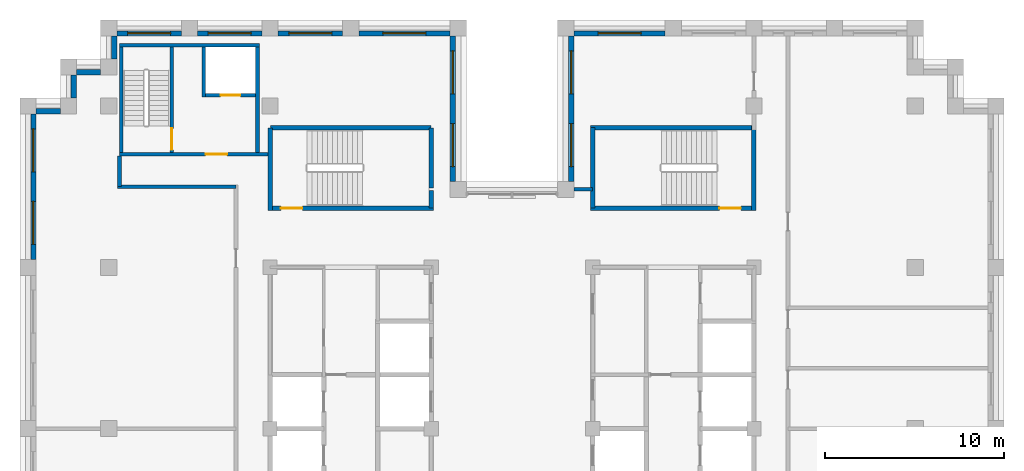
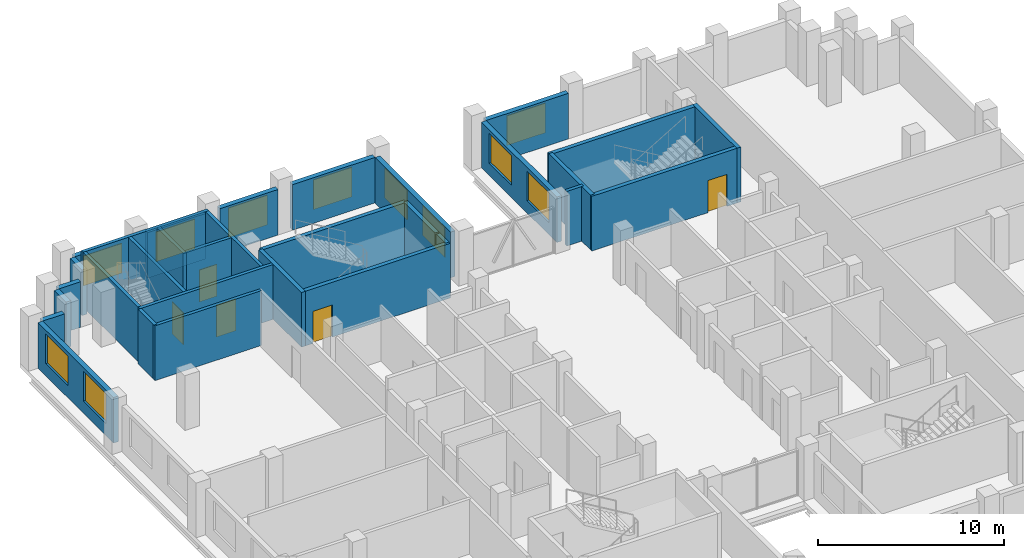
# One storey, part 10 of 13: 31 walls, 11 windows, 5 doors, 16 openings.
"""IFC4 building model written with IfcOpenShell, lengths in metres."""

from ifc_helpers import new_model, si_unit, direction, frame, frame_2d, origin, place, context, subcontext, project, spatial, rectangle, extrude, material, layer, layer_set, type_object, element, fill, save


model = new_model("IFC4")

# Units and contexts
model_context = context("Model", 3, precision=1e-05, world=origin(), true_north=direction((0.0, 1.0)))
body_context = subcontext(model_context, "Body", "Model", "MODEL_VIEW")
ifc_project = project(units=[si_unit("LENGTHUNIT", "METRE"), si_unit("AREAUNIT", "SQUARE_METRE"), si_unit("VOLUMEUNIT", "CUBIC_METRE"), si_unit("PLANEANGLEUNIT", "RADIAN"), si_unit("MASSUNIT", "GRAM", prefix="KILO")], contexts=[model_context])

# Site, building, storey
site_placement = place(None, origin())
site = spatial("IfcSite", under=ifc_project, at=site_placement, CompositionType="ELEMENT")
building_placement = place(site_placement, origin())
building = spatial("IfcBuilding", under=site, at=building_placement, Name="Corbelhall Arena Tower", CompositionType="ELEMENT")
storey_placement = place(building_placement, frame((0.0, 0.0, 290.0)))
storey = spatial("IfcBuildingStorey", under=building, at=storey_placement, Name="L63", CompositionType="ELEMENT", Elevation=290.0)

# Walls
ifc_material_1 = material(Name="Precast concrete C40/50 with granite facing", Category="masonry")
ifc_layer_1 = layer(ifc_material_1, 0.300048828125)
ifc_layer_set_1 = layer_set([ifc_layer_1], Name="EV-IW1 Infill panel 300")
wall_type_1 = type_object("IfcWallType", Name="EV-IW1 Infill panel 300", PredefinedType="SOLIDWALL", material=ifc_layer_set_1)
wall_1_placement = place(storey_placement, frame((-24.449951171875, 19.72509765625, 0.0), z_axis=(0.0, 0.0, 1.0), x_axis=(0.0, -1.0, 0.0)))
element("IfcWall", 1, at=wall_1_placement, inside=storey, type_object=wall_type_1, Name="Infill panel IW1", PredefinedType="SOLIDWALL", context=body_context, shape_type="SweptSolid", body=[
    extrude(rectangle(XDim=1.275146484375, YDim=0.300048828125, at=frame_2d((0.6376953125, 0.0))), origin(), (0.0, 0.0, 1.0), 2.989990234375),
])
wall_2_placement = place(storey_placement, frame((-25.199951171875, 17.699951171875, 0.0), z_axis=(0.0, 0.0, 1.0), x_axis=(-1.0, 0.0, 0.0)))
element("IfcWall", 2, at=wall_2_placement, inside=storey, type_object=wall_type_1, Name="Infill panel IW1", PredefinedType="SOLIDWALL", context=body_context, shape_type="SweptSolid", body=[
    extrude(rectangle(XDim=1.35009765625, YDim=0.300048828125, at=frame_2d((0.675048828125, 0.0))), origin(), (0.0, 0.0, 1.0), 2.989990234375),
])

# Wall, openings, windows
wall_3_placement = place(storey_placement, frame((-26.699951171875, 17.550048828125, 0.0), z_axis=(0.0, 0.0, 1.0), x_axis=(0.0, -1.0, 0.0)))
wall_3 = element("IfcWall", 3, at=wall_3_placement, inside=storey, type_object=wall_type_1, Name="Infill panel IW1", PredefinedType="SOLIDWALL", context=body_context, shape_type="SweptSolid", body=[
    extrude(rectangle(XDim=8.10009765625, YDim=0.300048828125, at=frame_2d((4.050048828125, 0.0))), origin(), (0.0, 0.0, 1.0), 2.989990234375),
])
opening_1_placement = place(wall_3_placement, frame((0.824951171875, 0.0, 0.800048828125)))
opening_1 = element("IfcOpeningElement", 4, at=opening_1_placement, cuts=wall_3, Name="Opening WN1", PredefinedType="OPENING", context=body_context, shape_type="SweptSolid", body=[
    extrude(rectangle(XDim=2.39990234375, YDim=1.949951171875, at=frame_2d((1.199951171875, 0.97509765625))), frame((0.0, 0.14990234375, 0.0), z_axis=(0.0, -1.0, 0.0), x_axis=(1.0, 0.0, 0.0)), (0.0, 0.0, 1.0), 0.300048828125),
])
opening_2_placement = place(wall_3_placement, frame((4.875, 0.0, 0.800048828125)))
opening_2 = element("IfcOpeningElement", 5, at=opening_2_placement, cuts=wall_3, Name="Opening WN1", PredefinedType="OPENING", context=body_context, shape_type="SweptSolid", body=[
    extrude(rectangle(XDim=2.39990234375, YDim=1.949951171875, at=frame_2d((1.199951171875, 0.97509765625))), frame((0.0, 0.14990234375, 0.0), z_axis=(0.0, -1.0, 0.0), x_axis=(1.0, 0.0, 0.0)), (0.0, 0.0, 1.0), 0.300048828125),
])
ifc_material_2 = material(Name="Aluminium black anodised", Category="aluminium")
window_type = type_object("IfcWindowType", Name="EV-WN1 Office window", PartitioningType="SINGLE_PANEL", PredefinedType="WINDOW", material=ifc_material_2)
window_1_placement = place(opening_1_placement, origin())
window_1 = element("IfcWindow", 6, at=window_1_placement, inside=storey, type_object=window_type, Name="Window WN1", OverallHeight=1.949951171875, OverallWidth=2.39990234375, PartitioningType="SINGLE_PANEL", PredefinedType="WINDOW", context=body_context, shape_type="SweptSolid", body=[
    extrude(rectangle(XDim=2.39990234375, YDim=1.949951171875, at=frame_2d((1.199951171875, 0.97509765625))), frame((0.0, 0.030029296875, 0.0), z_axis=(0.0, -1.0, 0.0), x_axis=(1.0, 0.0, 0.0)), (0.0, 0.0, 1.0), 0.06005859375),
])
fill(opening_1, window_1)
window_2_placement = place(opening_2_placement, origin())
window_2 = element("IfcWindow", 7, at=window_2_placement, inside=storey, type_object=window_type, Name="Window WN1", OverallHeight=1.949951171875, OverallWidth=2.39990234375, PartitioningType="SINGLE_PANEL", PredefinedType="WINDOW", context=body_context, shape_type="SweptSolid", body=[
    extrude(rectangle(XDim=2.39990234375, YDim=1.949951171875, at=frame_2d((1.199951171875, 0.97509765625))), frame((0.0, 0.030029296875, 0.0), z_axis=(0.0, -1.0, 0.0), x_axis=(1.0, 0.0, 0.0)), (0.0, 0.0, 1.0), 0.06005859375),
])
fill(opening_2, window_2)

# Wall, opening, window
wall_4_placement = place(storey_placement, frame((8.550048828125, 22.050048828125, 0.0), z_axis=(0.0, 0.0, 1.0), x_axis=(-1.0, 0.0, 0.0)))
wall_4 = element("IfcWall", 8, at=wall_4_placement, inside=storey, type_object=wall_type_1, Name="Infill panel IW1", PredefinedType="SOLIDWALL", context=body_context, shape_type="SweptSolid", body=[
    extrude(rectangle(XDim=5.10009765625, YDim=0.300048828125, at=frame_2d((2.550048828125, 0.0))), origin(), (0.0, 0.0, 1.0), 2.989990234375),
])
opening_3_placement = place(wall_4_placement, frame((1.35009765625, 0.0, 0.800048828125)))
opening_3 = element("IfcOpeningElement", 9, at=opening_3_placement, cuts=wall_4, Name="Opening WN1", PredefinedType="OPENING", context=body_context, shape_type="SweptSolid", body=[
    extrude(rectangle(XDim=2.39990234375, YDim=1.949951171875, at=frame_2d((1.199951171875, 0.97509765625))), frame((0.0, 0.14990234375, 0.0), z_axis=(0.0, -1.0, 0.0), x_axis=(1.0, 0.0, 0.0)), (0.0, 0.0, 1.0), 0.300048828125),
])
window_3_placement = place(opening_3_placement, origin())
window_3 = element("IfcWindow", 10, at=window_3_placement, inside=storey, type_object=window_type, Name="Window WN1", OverallHeight=1.949951171875, OverallWidth=2.39990234375, PartitioningType="SINGLE_PANEL", PredefinedType="WINDOW", context=body_context, shape_type="SweptSolid", body=[
    extrude(rectangle(XDim=2.39990234375, YDim=1.949951171875, at=frame_2d((1.199951171875, 0.97509765625))), frame((0.0, 0.030029296875, 0.0), z_axis=(0.0, -1.0, 0.0), x_axis=(1.0, 0.0, 0.0)), (0.0, 0.0, 1.0), 0.06005859375),
])
fill(opening_3, window_3)

# Wall, openings, windows
wall_5_placement = place(storey_placement, frame((3.300048828125, 21.89990234375, 0.0), z_axis=(0.0, 0.0, 1.0), x_axis=(0.0, -1.0, 0.0)))
wall_5 = element("IfcWall", 11, at=wall_5_placement, inside=storey, type_object=wall_type_1, Name="Infill panel IW1", PredefinedType="SOLIDWALL", context=body_context, shape_type="SweptSolid", body=[
    extrude(rectangle(XDim=8.099853515625, YDim=0.300048828125, at=frame_2d((4.0498046875, 0.0))), origin(), (0.0, 0.0, 1.0), 2.989990234375),
])
opening_4_placement = place(wall_5_placement, frame((0.824951171875, 0.0, 0.800048828125)))
opening_4 = element("IfcOpeningElement", 12, at=opening_4_placement, cuts=wall_5, Name="Opening WN1", PredefinedType="OPENING", context=body_context, shape_type="SweptSolid", body=[
    extrude(rectangle(XDim=2.39990234375, YDim=1.949951171875, at=frame_2d((1.199951171875, 0.97509765625))), frame((0.0, 0.14990234375, 0.0), z_axis=(0.0, -1.0, 0.0), x_axis=(1.0, 0.0, 0.0)), (0.0, 0.0, 1.0), 0.300048828125),
])
opening_5_placement = place(wall_5_placement, frame((4.875, 0.0, 0.800048828125)))
opening_5 = element("IfcOpeningElement", 13, at=opening_5_placement, cuts=wall_5, Name="Opening WN1", PredefinedType="OPENING", context=body_context, shape_type="SweptSolid", body=[
    extrude(rectangle(XDim=2.39990234375, YDim=1.949951171875, at=frame_2d((1.199951171875, 0.97509765625))), frame((0.0, 0.14990234375, 0.0), z_axis=(0.0, -1.0, 0.0), x_axis=(1.0, 0.0, 0.0)), (0.0, 0.0, 1.0), 0.300048828125),
])
window_4_placement = place(opening_4_placement, origin())
window_4 = element("IfcWindow", 14, at=window_4_placement, inside=storey, type_object=window_type, Name="Window WN1", OverallHeight=1.949951171875, OverallWidth=2.39990234375, PartitioningType="SINGLE_PANEL", PredefinedType="WINDOW", context=body_context, shape_type="SweptSolid", body=[
    extrude(rectangle(XDim=2.39990234375, YDim=1.949951171875, at=frame_2d((1.199951171875, 0.97509765625))), frame((0.0, 0.030029296875, 0.0), z_axis=(0.0, -1.0, 0.0), x_axis=(1.0, 0.0, 0.0)), (0.0, 0.0, 1.0), 0.06005859375),
])
fill(opening_4, window_4)
window_5_placement = place(opening_5_placement, origin())
window_5 = element("IfcWindow", 15, at=window_5_placement, inside=storey, type_object=window_type, Name="Window WN1", OverallHeight=1.949951171875, OverallWidth=2.39990234375, PartitioningType="SINGLE_PANEL", PredefinedType="WINDOW", context=body_context, shape_type="SweptSolid", body=[
    extrude(rectangle(XDim=2.39990234375, YDim=1.949951171875, at=frame_2d((1.199951171875, 0.97509765625))), frame((0.0, 0.030029296875, 0.0), z_axis=(0.0, -1.0, 0.0), x_axis=(1.0, 0.0, 0.0)), (0.0, 0.0, 1.0), 0.06005859375),
])
fill(opening_5, window_5)

wall_6_placement = place(storey_placement, frame((-3.300048828125, 13.800048828125, 0.0), z_axis=(0.0, 0.0, 1.0), x_axis=(0.0, 1.0, 0.0)))
wall_6 = element("IfcWall", 16, at=wall_6_placement, inside=storey, type_object=wall_type_1, Name="Infill panel IW1", PredefinedType="SOLIDWALL", context=body_context, shape_type="SweptSolid", body=[
    extrude(rectangle(XDim=8.099853515625, YDim=0.300048828125, at=frame_2d((4.0498046875, 0.0))), origin(), (0.0, 0.0, 1.0), 2.989990234375),
])
opening_6_placement = place(wall_6_placement, frame((0.824951171875, 0.0, 0.800048828125)))
opening_6 = element("IfcOpeningElement", 17, at=opening_6_placement, cuts=wall_6, Name="Opening WN1", PredefinedType="OPENING", context=body_context, shape_type="SweptSolid", body=[
    extrude(rectangle(XDim=2.39990234375, YDim=1.949951171875, at=frame_2d((1.199951171875, 0.97509765625))), frame((0.0, 0.14990234375, 0.0), z_axis=(0.0, -1.0, 0.0), x_axis=(1.0, 0.0, 0.0)), (0.0, 0.0, 1.0), 0.300048828125),
])
opening_7_placement = place(wall_6_placement, frame((4.875, 0.0, 0.800048828125)))
opening_7 = element("IfcOpeningElement", 18, at=opening_7_placement, cuts=wall_6, Name="Opening WN1", PredefinedType="OPENING", context=body_context, shape_type="SweptSolid", body=[
    extrude(rectangle(XDim=2.39990234375, YDim=1.949951171875, at=frame_2d((1.199951171875, 0.97509765625))), frame((0.0, 0.14990234375, 0.0), z_axis=(0.0, -1.0, 0.0), x_axis=(1.0, 0.0, 0.0)), (0.0, 0.0, 1.0), 0.300048828125),
])
window_6_placement = place(opening_6_placement, origin())
window_6 = element("IfcWindow", 19, at=window_6_placement, inside=storey, type_object=window_type, Name="Window WN1", OverallHeight=1.949951171875, OverallWidth=2.39990234375, PartitioningType="SINGLE_PANEL", PredefinedType="WINDOW", context=body_context, shape_type="SweptSolid", body=[
    extrude(rectangle(XDim=2.39990234375, YDim=1.949951171875, at=frame_2d((1.199951171875, 0.97509765625))), frame((0.0, 0.030029296875, 0.0), z_axis=(0.0, -1.0, 0.0), x_axis=(1.0, 0.0, 0.0)), (0.0, 0.0, 1.0), 0.06005859375),
])
fill(opening_6, window_6)
window_7_placement = place(opening_7_placement, origin())
window_7 = element("IfcWindow", 20, at=window_7_placement, inside=storey, type_object=window_type, Name="Window WN1", OverallHeight=1.949951171875, OverallWidth=2.39990234375, PartitioningType="SINGLE_PANEL", PredefinedType="WINDOW", context=body_context, shape_type="SweptSolid", body=[
    extrude(rectangle(XDim=2.39990234375, YDim=1.949951171875, at=frame_2d((1.199951171875, 0.97509765625))), frame((0.0, 0.030029296875, 0.0), z_axis=(0.0, -1.0, 0.0), x_axis=(1.0, 0.0, 0.0)), (0.0, 0.0, 1.0), 0.06005859375),
])
fill(opening_7, window_7)

# Wall, opening, window
wall_7_placement = place(storey_placement, frame((-3.449951171875, 22.050048828125, 0.0), z_axis=(0.0, 0.0, 1.0), x_axis=(-1.0, 0.0, 0.0)))
wall_7 = element("IfcWall", 21, at=wall_7_placement, inside=storey, type_object=wall_type_1, Name="Infill panel IW1", PredefinedType="SOLIDWALL", context=body_context, shape_type="SweptSolid", body=[
    extrude(rectangle(XDim=5.10009765625, YDim=0.300048828125, at=frame_2d((2.550048828125, 0.0))), origin(), (0.0, 0.0, 1.0), 2.989990234375),
])
opening_8_placement = place(wall_7_placement, frame((1.35009765625, 0.0, 0.800048828125)))
opening_8 = element("IfcOpeningElement", 22, at=opening_8_placement, cuts=wall_7, Name="Opening WN1", PredefinedType="OPENING", context=body_context, shape_type="SweptSolid", body=[
    extrude(rectangle(XDim=2.39990234375, YDim=1.949951171875, at=frame_2d((1.199951171875, 0.97509765625))), frame((0.0, 0.14990234375, 0.0), z_axis=(0.0, -1.0, 0.0), x_axis=(1.0, 0.0, 0.0)), (0.0, 0.0, 1.0), 0.300048828125),
])
window_8_placement = place(opening_8_placement, origin())
window_8 = element("IfcWindow", 23, at=window_8_placement, inside=storey, type_object=window_type, Name="Window WN1", OverallHeight=1.949951171875, OverallWidth=2.39990234375, PartitioningType="SINGLE_PANEL", PredefinedType="WINDOW", context=body_context, shape_type="SweptSolid", body=[
    extrude(rectangle(XDim=2.39990234375, YDim=1.949951171875, at=frame_2d((1.199951171875, 0.97509765625))), frame((0.0, 0.030029296875, 0.0), z_axis=(0.0, -1.0, 0.0), x_axis=(1.0, 0.0, 0.0)), (0.0, 0.0, 1.0), 0.06005859375),
])
fill(opening_8, window_8)

wall_8_placement = place(storey_placement, frame((-9.449951171875, 22.050048828125, 0.0), z_axis=(0.0, 0.0, 1.0), x_axis=(-1.0, 0.0, 0.0)))
wall_8 = element("IfcWall", 24, at=wall_8_placement, inside=storey, type_object=wall_type_1, Name="Infill panel IW1", PredefinedType="SOLIDWALL", context=body_context, shape_type="SweptSolid", body=[
    extrude(rectangle(XDim=3.60009765625, YDim=0.300048828125, at=frame_2d((1.800048828125, 0.0))), origin(), (0.0, 0.0, 1.0), 2.989990234375),
])
opening_9_placement = place(wall_8_placement, frame((0.60009765625, 0.0, 0.800048828125)))
opening_9 = element("IfcOpeningElement", 25, at=opening_9_placement, cuts=wall_8, Name="Opening WN1", PredefinedType="OPENING", context=body_context, shape_type="SweptSolid", body=[
    extrude(rectangle(XDim=2.39990234375, YDim=1.949951171875, at=frame_2d((1.199951171875, 0.97509765625))), frame((0.0, 0.14990234375, 0.0), z_axis=(0.0, -1.0, 0.0), x_axis=(1.0, 0.0, 0.0)), (0.0, 0.0, 1.0), 0.300048828125),
])
window_9_placement = place(opening_9_placement, origin())
window_9 = element("IfcWindow", 26, at=window_9_placement, inside=storey, type_object=window_type, Name="Window WN1", OverallHeight=1.949951171875, OverallWidth=2.39990234375, PartitioningType="SINGLE_PANEL", PredefinedType="WINDOW", context=body_context, shape_type="SweptSolid", body=[
    extrude(rectangle(XDim=2.39990234375, YDim=1.949951171875, at=frame_2d((1.199951171875, 0.97509765625))), frame((0.0, 0.030029296875, 0.0), z_axis=(0.0, -1.0, 0.0), x_axis=(1.0, 0.0, 0.0)), (0.0, 0.0, 1.0), 0.06005859375),
])
fill(opening_9, window_9)

wall_9_placement = place(storey_placement, frame((-13.949951171875, 22.050048828125, 0.0), z_axis=(0.0, 0.0, 1.0), x_axis=(-1.0, 0.0, 0.0)))
wall_9 = element("IfcWall", 27, at=wall_9_placement, inside=storey, type_object=wall_type_1, Name="Infill panel IW1", PredefinedType="SOLIDWALL", context=body_context, shape_type="SweptSolid", body=[
    extrude(rectangle(XDim=3.60009765625, YDim=0.300048828125, at=frame_2d((1.800048828125, 0.0))), origin(), (0.0, 0.0, 1.0), 2.989990234375),
])
opening_10_placement = place(wall_9_placement, frame((0.60009765625, 0.0, 0.800048828125)))
opening_10 = element("IfcOpeningElement", 28, at=opening_10_placement, cuts=wall_9, Name="Opening WN1", PredefinedType="OPENING", context=body_context, shape_type="SweptSolid", body=[
    extrude(rectangle(XDim=2.39990234375, YDim=1.949951171875, at=frame_2d((1.199951171875, 0.97509765625))), frame((0.0, 0.14990234375, 0.0), z_axis=(0.0, -1.0, 0.0), x_axis=(1.0, 0.0, 0.0)), (0.0, 0.0, 1.0), 0.300048828125),
])
window_10_placement = place(opening_10_placement, origin())
window_10 = element("IfcWindow", 29, at=window_10_placement, inside=storey, type_object=window_type, Name="Window WN1", OverallHeight=1.949951171875, OverallWidth=2.39990234375, PartitioningType="SINGLE_PANEL", PredefinedType="WINDOW", context=body_context, shape_type="SweptSolid", body=[
    extrude(rectangle(XDim=2.39990234375, YDim=1.949951171875, at=frame_2d((1.199951171875, 0.97509765625))), frame((0.0, 0.030029296875, 0.0), z_axis=(0.0, -1.0, 0.0), x_axis=(1.0, 0.0, 0.0)), (0.0, 0.0, 1.0), 0.06005859375),
])
fill(opening_10, window_10)

wall_10_placement = place(storey_placement, frame((-18.449951171875, 22.050048828125, 0.0), z_axis=(0.0, 0.0, 1.0), x_axis=(-1.0, 0.0, 0.0)))
wall_10 = element("IfcWall", 30, at=wall_10_placement, inside=storey, type_object=wall_type_1, Name="Infill panel IW1", PredefinedType="SOLIDWALL", context=body_context, shape_type="SweptSolid", body=[
    extrude(rectangle(XDim=3.60009765625, YDim=0.300048828125, at=frame_2d((1.800048828125, 0.0))), origin(), (0.0, 0.0, 1.0), 2.989990234375),
])
opening_11_placement = place(wall_10_placement, frame((0.60009765625, 0.0, 0.800048828125)))
opening_11 = element("IfcOpeningElement", 31, at=opening_11_placement, cuts=wall_10, Name="Opening WN1", PredefinedType="OPENING", context=body_context, shape_type="SweptSolid", body=[
    extrude(rectangle(XDim=2.39990234375, YDim=1.949951171875, at=frame_2d((1.199951171875, 0.97509765625))), frame((0.0, 0.14990234375, 0.0), z_axis=(0.0, -1.0, 0.0), x_axis=(1.0, 0.0, 0.0)), (0.0, 0.0, 1.0), 0.300048828125),
])
window_11_placement = place(opening_11_placement, origin())
window_11 = element("IfcWindow", 32, at=window_11_placement, inside=storey, type_object=window_type, Name="Window WN1", OverallHeight=1.949951171875, OverallWidth=2.39990234375, PartitioningType="SINGLE_PANEL", PredefinedType="WINDOW", context=body_context, shape_type="SweptSolid", body=[
    extrude(rectangle(XDim=2.39990234375, YDim=1.949951171875, at=frame_2d((1.199951171875, 0.97509765625))), frame((0.0, 0.030029296875, 0.0), z_axis=(0.0, -1.0, 0.0), x_axis=(1.0, 0.0, 0.0)), (0.0, 0.0, 1.0), 0.06005859375),
])
fill(opening_11, window_11)

# Walls
wall_11_placement = place(storey_placement, frame((-22.199951171875, 21.89990234375, 0.0), z_axis=(0.0, 0.0, 1.0), x_axis=(0.0, -1.0, 0.0)))
element("IfcWall", 33, at=wall_11_placement, inside=storey, type_object=wall_type_1, Name="Infill panel IW1", PredefinedType="SOLIDWALL", context=body_context, shape_type="SweptSolid", body=[
    extrude(rectangle(XDim=1.27490234375, YDim=0.300048828125, at=frame_2d((0.637451171875, 0.0))), origin(), (0.0, 0.0, 1.0), 2.989990234375),
])
wall_12_placement = place(storey_placement, frame((-22.949951171875, 19.875, 0.0), z_axis=(0.0, 0.0, 1.0), x_axis=(-1.0, 0.0, 0.0)))
element("IfcWall", 34, at=wall_12_placement, inside=storey, type_object=wall_type_1, Name="Infill panel IW1", PredefinedType="SOLIDWALL", context=body_context, shape_type="SweptSolid", body=[
    extrude(rectangle(XDim=1.35009765625, YDim=0.300048828125, at=frame_2d((0.675048828125, 0.0))), origin(), (0.0, 0.0, 1.0), 2.989990234375),
])
ifc_material_3 = material(Name="Gypsum board on steel stud, acoustic", Category="steel")
ifc_layer_2 = layer(ifc_material_3, 0.199951171875)
ifc_layer_set_2 = layer_set([ifc_layer_2], Name="IN-W-DM200")
wall_type_2 = type_object("IfcWallType", Name="IN-W-DM200", PredefinedType="PARTITIONING", material=ifc_layer_set_2)
wall_13_placement = place(storey_placement, frame((-21.89990234375, 13.5, 0.0), z_axis=(0.0, 0.0, 1.0), x_axis=(0.0, 1.0, 0.0)))
element("IfcWall", 35, at=wall_13_placement, inside=storey, type_object=wall_type_2, Name="Partition 004", PredefinedType="PARTITIONING", context=body_context, shape_type="SweptSolid", body=[
    extrude(rectangle(XDim=1.699951171875, YDim=0.199951171875, at=frame_2d((0.85009765625, 0.0))), origin(), (0.0, 0.0, 1.0), 3.590087890625),
])
wall_14_placement = place(storey_placement, frame((-15.39990234375, 13.5, 0.0), z_axis=(0.0, 0.0, 1.0), x_axis=(-1.0, 0.0, 0.0)))
element("IfcWall", 36, at=wall_14_placement, inside=storey, type_object=wall_type_2, Name="Partition 007", PredefinedType="PARTITIONING", context=body_context, shape_type="SweptSolid", body=[
    extrude(rectangle(XDim=6.60009765625, YDim=0.199951171875, at=frame_2d((3.300048828125, 0.0))), origin(), (0.0, 0.0, 1.0), 3.590087890625),
])
wall_15_placement = place(storey_placement, frame((3.450439453125, 13.35009765625, 0.0), z_axis=(0.0, 0.0, 1.0), x_axis=(1.0, 0.0, 0.0)))
element("IfcWall", 37, at=wall_15_placement, inside=storey, type_object=wall_type_2, Name="Partition 010", PredefinedType="PARTITIONING", context=body_context, shape_type="SweptSolid", body=[
    extrude(rectangle(XDim=1.049072265625, YDim=0.199951171875, at=frame_2d((0.5244140625, 0.0))), origin(), (0.0, 0.0, 1.0), 3.590087890625),
])

# Wall, opening, door
ifc_material_4 = material(Name="Concrete C40/50", Category="concrete")
ifc_layer_3 = layer(ifc_material_4, 0.199951171875)
ifc_layer_set_3 = layer_set([ifc_layer_3], Name="IN-W-EAR200")
wall_type_3 = type_object("IfcWallType", Name="IN-W-EAR200", PredefinedType="SOLIDWALL", material=ifc_layer_set_3)
wall_16_placement = place(storey_placement, frame((-21.89990234375, 15.300048828125, 0.0), z_axis=(0.0, 0.0, 1.0), x_axis=(1.0, 0.0, 0.0)))
wall_16 = element("IfcWall", 38, at=wall_16_placement, inside=storey, type_object=wall_type_3, Name="Fire service turret wall south", PredefinedType="SOLIDWALL", context=body_context, shape_type="SweptSolid", body=[
    extrude(rectangle(XDim=8.27490234375, YDim=0.199951171875, at=frame_2d((4.137451171875, 0.0))), origin(), (0.0, 0.0, 1.0), 3.590087890625),
])
opening_12_placement = place(wall_16_placement, frame((4.800048828125, 0.0, 0.0)))
opening_12 = element("IfcOpeningElement", 39, at=opening_12_placement, cuts=wall_16, Name="Opening E202", PredefinedType="OPENING", context=body_context, shape_type="SweptSolid", body=[
    extrude(rectangle(XDim=1.199951171875, YDim=2.10009765625, at=frame_2d((0.60009765625, 1.050048828125))), frame((0.0, 0.10009765625, 0.0), z_axis=(0.0, -1.0, 0.0), x_axis=(1.0, 0.0, 0.0)), (0.0, 0.0, 1.0), 0.199951171875),
])
ifc_material_5 = material(Name="Steel door set", Category="steel")
door_type_1 = type_object("IfcDoorType", Name="IN-D-ST120", OperationType="NOTDEFINED", PredefinedType="DOOR", material=ifc_material_5)
door_1_placement = place(opening_12_placement, origin())
door_1 = element("IfcDoor", 40, at=door_1_placement, inside=storey, type_object=door_type_1, Name="Door from fire service lift lobby to circulation", OperationType="SINGLE_SWING_RIGHT", OverallHeight=2.10009765625, OverallWidth=1.199951171875, PredefinedType="DOOR", context=body_context, shape_type="SweptSolid", body=[
    extrude(rectangle(XDim=1.199951171875, YDim=2.10009765625, at=frame_2d((0.60009765625, 1.050048828125))), frame((0.0, 0.02490234375, 0.0), z_axis=(0.0, -1.0, 0.0), x_axis=(1.0, 0.0, 0.0)), (0.0, 0.0, 1.0), 0.050048828125),
])
fill(opening_12, door_1)

# Walls
wall_17_placement = place(storey_placement, frame((-21.89990234375, 21.39990234375, 0.0), z_axis=(0.0, 0.0, 1.0), x_axis=(1.0, 0.0, 0.0)))
element("IfcWall", 41, at=wall_17_placement, inside=storey, type_object=wall_type_3, Name="Fire service turret wall north", PredefinedType="SOLIDWALL", context=body_context, shape_type="SweptSolid", body=[
    extrude(rectangle(XDim=7.7998046875, YDim=0.199951171875, at=frame_2d((3.89990234375, 0.0))), origin(), (0.0, 0.0, 1.0), 3.590087890625),
])
for number, where, z_axis, x_axis, name in (
    (42, (-21.800048828125, 15.39990234375, 0.0), (0.0, 0.0, 1.0), (0.0, 1.0, 0.0), "Fire service turret wall west"),
    (43, (-14.199951171875, 15.39990234375, 0.0), (0.0, 0.0, 1.0), (0.0, 1.0, 0.0), "Fire service turret wall east"),
):
    element("IfcWall", number, at=place(storey_placement, frame(where, z_axis=z_axis, x_axis=x_axis)), inside=storey, type_object=wall_type_3, Name=name, PredefinedType="SOLIDWALL", context=body_context, shape_type="SweptSolid", body=[
        extrude(rectangle(XDim=5.900146484375, YDim=0.199951171875, at=frame_2d((2.9501953125, 0.0))), origin(), (0.0, 0.0, 1.0), 3.590087890625),
    ])

# Wall, opening, door
wall_18_placement = place(storey_placement, frame((-18.989990234375, 15.39990234375, 0.0), z_axis=(0.0, 0.0, 1.0), x_axis=(0.0, 1.0, 0.0)))
wall_18 = element("IfcWall", 44, at=wall_18_placement, inside=storey, type_object=wall_type_3, Name="Fire service turret wall stair", PredefinedType="SOLIDWALL", context=body_context, shape_type="SweptSolid", body=[
    extrude(rectangle(XDim=5.900146484375, YDim=0.199951171875, at=frame_2d((2.9501953125, 0.0))), origin(), (0.0, 0.0, 1.0), 3.590087890625),
])
opening_13_placement = place(wall_18_placement, frame((0.14990234375, 0.0, 0.0)))
opening_13 = element("IfcOpeningElement", 45, at=opening_13_placement, cuts=wall_18, Name="Opening E201", PredefinedType="OPENING", context=body_context, shape_type="SweptSolid", body=[
    extrude(rectangle(XDim=1.199951171875, YDim=2.10009765625, at=frame_2d((0.60009765625, 1.050048828125))), frame((0.0, 0.10009765625, 0.0), z_axis=(0.0, -1.0, 0.0), x_axis=(1.0, 0.0, 0.0)), (0.0, 0.0, 1.0), 0.199951171875),
])
door_2_placement = place(opening_13_placement, origin())
door_2 = element("IfcDoor", 46, at=door_2_placement, inside=storey, type_object=door_type_1, Name="Stair door to fire service lobby", OperationType="SINGLE_SWING_LEFT", OverallHeight=2.10009765625, OverallWidth=1.199951171875, PredefinedType="DOOR", context=body_context, shape_type="SweptSolid", body=[
    extrude(rectangle(XDim=1.199951171875, YDim=2.10009765625, at=frame_2d((0.60009765625, 1.050048828125))), frame((0.0, 0.02490234375, 0.0), z_axis=(0.0, -1.0, 0.0), x_axis=(1.0, 0.0, 0.0)), (0.0, 0.0, 1.0), 0.050048828125),
])
fill(opening_13, door_2)

# Wall
wall_19_placement = place(storey_placement, frame((-17.199951171875, 18.5, 0.0), z_axis=(0.0, 0.0, 1.0), x_axis=(0.0, 1.0, 0.0)))
element("IfcWall", 47, at=wall_19_placement, inside=storey, type_object=wall_type_3, Name="Fire service turret wall hoistway west", PredefinedType="SOLIDWALL", context=body_context, shape_type="SweptSolid", body=[
    extrude(rectangle(XDim=2.800048828125, YDim=0.199951171875, at=frame_2d((1.39990234375, 0.0))), origin(), (0.0, 0.0, 1.0), 3.590087890625),
])

# Wall, opening, door
wall_20_placement = place(storey_placement, frame((-17.10009765625, 18.60009765625, 0.0), z_axis=(0.0, 0.0, 1.0), x_axis=(1.0, 0.0, 0.0)))
wall_20 = element("IfcWall", 48, at=wall_20_placement, inside=storey, type_object=wall_type_3, Name="Fire service turret wall hoistway south", PredefinedType="SOLIDWALL", context=body_context, shape_type="SweptSolid", body=[
    extrude(rectangle(XDim=2.800048828125, YDim=0.199951171875, at=frame_2d((1.39990234375, 0.0))), origin(), (0.0, 0.0, 1.0), 3.590087890625),
])
opening_14_placement = place(wall_20_placement, frame((0.85009765625, 0.0, 0.0)))
opening_14 = element("IfcOpeningElement", 49, at=opening_14_placement, cuts=wall_20, Name="Opening LD", PredefinedType="OPENING", context=body_context, shape_type="SweptSolid", body=[
    extrude(rectangle(XDim=1.10009765625, YDim=2.10009765625, at=frame_2d((0.550048828125, 1.050048828125))), frame((0.0, 0.10009765625, 0.0), z_axis=(0.0, -1.0, 0.0), x_axis=(1.0, 0.0, 0.0)), (0.0, 0.0, 1.0), 0.199951171875),
])
door_type_2 = type_object("IfcDoorType", Name="IN-D-LD110", OperationType="NOTDEFINED", PredefinedType="DOOR", material=ifc_material_5)
door_3_placement = place(opening_14_placement, origin())
door_3 = element("IfcDoor", 50, at=door_3_placement, inside=storey, type_object=door_type_2, Name="Landing door FS1", OperationType="SLIDING_TO_LEFT", OverallHeight=2.10009765625, OverallWidth=1.10009765625, PredefinedType="DOOR", context=body_context, shape_type="SweptSolid", body=[
    extrude(rectangle(XDim=1.10009765625, YDim=2.10009765625, at=frame_2d((0.550048828125, 1.050048828125))), frame((0.0, 0.02490234375, 0.0), z_axis=(0.0, -1.0, 0.0), x_axis=(1.0, 0.0, 0.0)), (0.0, 0.0, 1.0), 0.050048828125),
])
fill(opening_14, door_3)

ifc_layer_4 = layer(ifc_material_4, 0.25)
ifc_layer_set_4 = layer_set([ifc_layer_4], Name="IN-W-ST250")
wall_type_4 = type_object("IfcWallType", Name="IN-W-ST250", PredefinedType="SOLIDWALL", material=ifc_layer_set_4)
wall_21_placement = place(storey_placement, frame((-13.5, 12.300048828125, 0.0), z_axis=(0.0, 0.0, 1.0), x_axis=(1.0, 0.0, 0.0)))
wall_21 = element("IfcWall", 51, at=wall_21_placement, inside=storey, type_object=wall_type_4, Name="Shaft wall 060", PredefinedType="SOLIDWALL", context=body_context, shape_type="SweptSolid", body=[
    extrude(rectangle(XDim=9.125, YDim=0.25, at=frame_2d((4.5625, 0.0))), origin(), (0.0, 0.0, 1.0), 3.590087890625),
])
opening_15_placement = place(wall_21_placement, frame((0.60009765625, 0.0, 0.0)))
opening_15 = element("IfcOpeningElement", 52, at=opening_15_placement, cuts=wall_21, Name="Opening 20016", PredefinedType="OPENING", context=body_context, shape_type="SweptSolid", body=[
    extrude(rectangle(XDim=1.199951171875, YDim=2.10009765625, at=frame_2d((0.60009765625, 1.050048828125))), frame((0.0, 0.125, 0.0), z_axis=(0.0, -1.0, 0.0), x_axis=(1.0, 0.0, 0.0)), (0.0, 0.0, 1.0), 0.25),
])
door_4_placement = place(opening_15_placement, origin())
door_4 = element("IfcDoor", 53, at=door_4_placement, inside=storey, type_object=door_type_1, Name="Door 016", OperationType="SINGLE_SWING_LEFT", OverallHeight=2.10009765625, OverallWidth=1.199951171875, PredefinedType="DOOR", context=body_context, shape_type="SweptSolid", body=[
    extrude(rectangle(XDim=1.199951171875, YDim=2.10009765625, at=frame_2d((0.60009765625, 1.050048828125))), frame((0.0, 0.02490234375, 0.0), z_axis=(0.0, -1.0, 0.0), x_axis=(1.0, 0.0, 0.0)), (0.0, 0.0, 1.0), 0.050048828125),
])
fill(opening_15, door_4)

# Walls
wall_22_placement = place(storey_placement, frame((-13.5, 16.780029296875, 0.0), z_axis=(0.0, 0.0, 1.0), x_axis=(0.0, -1.0, 0.0)))
element("IfcWall", 54, at=wall_22_placement, inside=storey, type_object=wall_type_4, Name="Shaft wall 061", PredefinedType="SOLIDWALL", context=body_context, shape_type="SweptSolid", body=[
    extrude(rectangle(XDim=4.60498046875, YDim=0.25, at=frame_2d((2.302490234375, 0.0))), origin(), (0.0, 0.0, 1.0), 3.590087890625),
])
wall_23_placement = place(storey_placement, frame((-13.47998046875, 16.800048828125, 0.0), z_axis=(0.0, 0.0, 1.0), x_axis=(1.0, 0.0, 0.0)))
element("IfcWall", 55, at=wall_23_placement, inside=storey, type_object=wall_type_4, Name="Shaft wall 062", PredefinedType="SOLIDWALL", context=body_context, shape_type="SweptSolid", body=[
    extrude(rectangle(XDim=8.9599609375, YDim=0.25, at=frame_2d((4.47998046875, 0.0))), origin(), (0.0, 0.0, 1.0), 3.590087890625),
])
wall_24_placement = place(storey_placement, frame((-4.5, 13.282958984375, 0.0), z_axis=(0.0, 0.0, 1.0), x_axis=(0.0, -1.0, 0.0)))
element("IfcWall", 56, at=wall_24_placement, inside=storey, type_object=wall_type_4, Name="Shaft wall 065", PredefinedType="SOLIDWALL", context=body_context, shape_type="SweptSolid", body=[
    extrude(rectangle(XDim=0.98291015625, YDim=0.25, at=frame_2d((0.491455078125, 0.0))), origin(), (0.0, 0.0, 1.0), 3.590087890625),
])
wall_25_placement = place(storey_placement, frame((-4.5, 16.780029296875, 0.0), z_axis=(0.0, 0.0, 1.0), x_axis=(0.0, -1.0, 0.0)))
element("IfcWall", 57, at=wall_25_placement, inside=storey, type_object=wall_type_4, Name="Shaft wall 066", PredefinedType="SOLIDWALL", context=body_context, shape_type="SweptSolid", body=[
    extrude(rectangle(XDim=3.363037109375, YDim=0.25, at=frame_2d((1.681640625, 0.0))), origin(), (0.0, 0.0, 1.0), 3.590087890625),
])

# Wall, opening, door
wall_26_placement = place(storey_placement, frame((4.375, 12.300048828125, 0.0), z_axis=(0.0, 0.0, 1.0), x_axis=(1.0, 0.0, 0.0)))
wall_26 = element("IfcWall", 58, at=wall_26_placement, inside=storey, type_object=wall_type_4, Name="Shaft wall 068", PredefinedType="SOLIDWALL", context=body_context, shape_type="SweptSolid", body=[
    extrude(rectangle(XDim=9.125, YDim=0.25, at=frame_2d((4.5625, 0.0))), origin(), (0.0, 0.0, 1.0), 3.590087890625),
])
opening_16_placement = place(wall_26_placement, frame((7.199951171875, 0.0, 0.0)))
opening_16 = element("IfcOpeningElement", 59, at=opening_16_placement, cuts=wall_26, Name="Opening 20018", PredefinedType="OPENING", context=body_context, shape_type="SweptSolid", body=[
    extrude(rectangle(XDim=1.199951171875, YDim=2.10009765625, at=frame_2d((0.60009765625, 1.050048828125))), frame((0.0, 0.125, 0.0), z_axis=(0.0, -1.0, 0.0), x_axis=(1.0, 0.0, 0.0)), (0.0, 0.0, 1.0), 0.25),
])
door_5_placement = place(opening_16_placement, origin())
door_5 = element("IfcDoor", 60, at=door_5_placement, inside=storey, type_object=door_type_1, Name="Door 018", OperationType="SINGLE_SWING_LEFT", OverallHeight=2.10009765625, OverallWidth=1.199951171875, PredefinedType="DOOR", context=body_context, shape_type="SweptSolid", body=[
    extrude(rectangle(XDim=1.199951171875, YDim=2.10009765625, at=frame_2d((0.60009765625, 1.050048828125))), frame((0.0, 0.02490234375, 0.0), z_axis=(0.0, -1.0, 0.0), x_axis=(1.0, 0.0, 0.0)), (0.0, 0.0, 1.0), 0.050048828125),
])
fill(opening_16, door_5)

# Walls
wall_27_placement = place(storey_placement, frame((4.375, 16.800048828125, 0.0), z_axis=(0.0, 0.0, 1.0), x_axis=(1.0, 0.0, 0.0)))
element("IfcWall", 61, at=wall_27_placement, inside=storey, type_object=wall_type_4, Name="Shaft wall 069", PredefinedType="SOLIDWALL", context=body_context, shape_type="SweptSolid", body=[
    extrude(rectangle(XDim=9.125, YDim=0.25, at=frame_2d((4.5625, 0.0))), origin(), (0.0, 0.0, 1.0), 3.590087890625),
])
wall_28_placement = place(storey_placement, frame((4.5, 12.300048828125, 0.0), z_axis=(0.0, 0.0, 1.0), x_axis=(0.0, 1.0, 0.0)))
element("IfcWall", 62, at=wall_28_placement, inside=storey, type_object=wall_type_4, Name="Shaft wall 071", PredefinedType="SOLIDWALL", context=body_context, shape_type="SweptSolid", body=[
    extrude(rectangle(XDim=4.5, YDim=0.25, at=frame_2d((2.25, 0.0))), origin(), (0.0, 0.0, 1.0), 3.590087890625),
])
wall_29_placement = place(storey_placement, frame((13.5, 12.175048828125, 0.0), z_axis=(0.0, 0.0, 1.0), x_axis=(0.0, 1.0, 0.0)))
element("IfcWall", 63, at=wall_29_placement, inside=storey, type_object=wall_type_4, Name="Shaft wall 075", PredefinedType="SOLIDWALL", context=body_context, shape_type="SweptSolid", body=[
    extrude(rectangle(XDim=4.75, YDim=0.25, at=frame_2d((2.375, 0.0))), origin(), (0.0, 0.0, 1.0), 3.590087890625),
])

save(model, "model.ifc")
